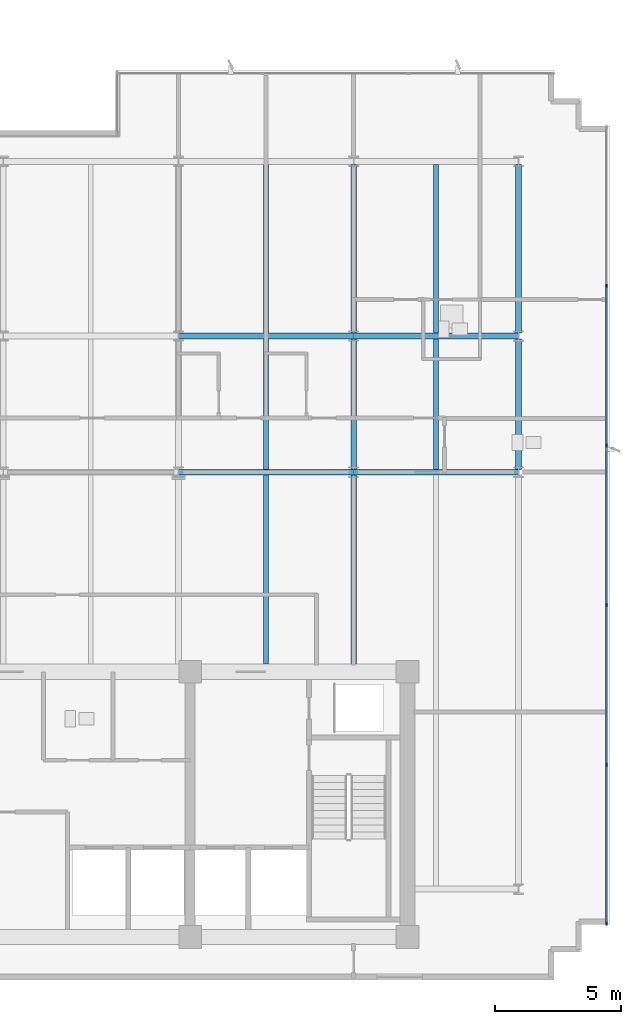
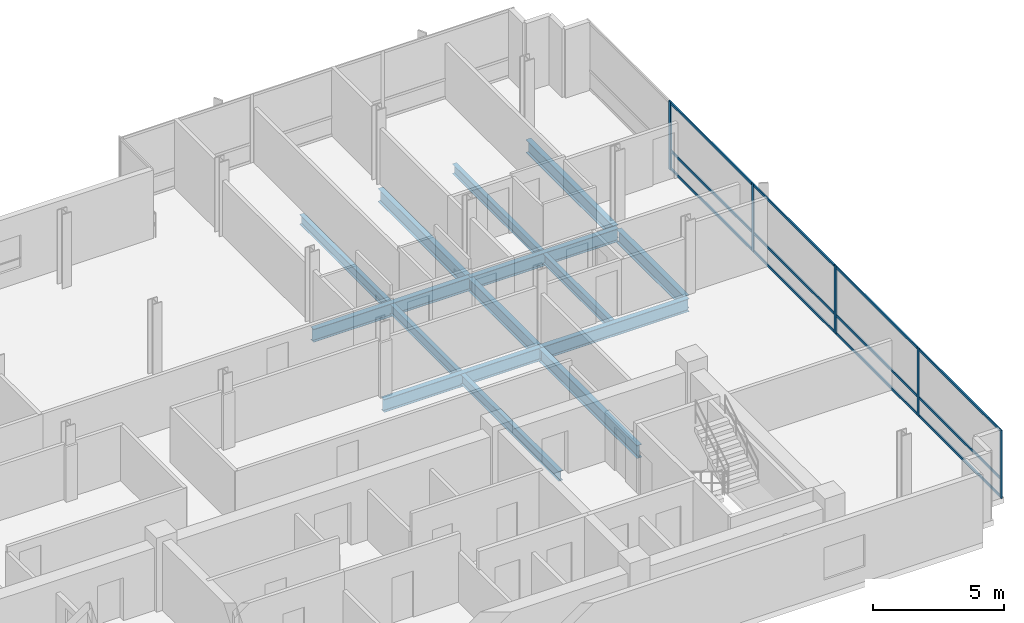
# One storey, part 6 of 17: 17 members, 14 beams, 1 element without a shape of its own.
"""IFC4 building model written with IfcOpenShell, lengths in metres."""

from ifc_helpers import new_model, si_unit, direction, frame, origin, origin_2d, place, context, subcontext, project, spatial, rectangle, i_section, extrude, material, material_profile, profile_set, type_object, element, aggregate, save


model = new_model("IFC4")

# Units and contexts
model_context = context("Model", 3, precision=1e-05, world=origin(), true_north=direction((0.0, 1.0)))
body_context = subcontext(model_context, "Body", "Model", "MODEL_VIEW")
ifc_project = project(units=[si_unit("LENGTHUNIT", "METRE"), si_unit("AREAUNIT", "SQUARE_METRE"), si_unit("VOLUMEUNIT", "CUBIC_METRE"), si_unit("PLANEANGLEUNIT", "RADIAN"), si_unit("MASSUNIT", "GRAM", prefix="KILO")], contexts=[model_context])

# Site, building, storey
site_placement = place(None, origin())
site = spatial("IfcSite", under=ifc_project, at=site_placement, CompositionType="ELEMENT")
building_placement = place(site_placement, origin())
building = spatial("IfcBuilding", under=site, at=building_placement, Name="Solmavex Isthmus Hotel", CompositionType="ELEMENT")
storey_placement = place(building_placement, frame((0.0, 0.0, 266.10009765625)))
storey = spatial("IfcBuildingStorey", under=building, at=storey_placement, Name="L72", CompositionType="ELEMENT", Elevation=266.10009765625)

# Beams
ifc_material_1 = material(Name="Steel ASTM A992 Grade 50", Category="steel")
ifc_material_profile_1 = material_profile(ifc_material_1, i_section(OverallWidth=0.1904296875, OverallDepth=0.456787109375, WebThickness=0.009033203125, FlangeThickness=0.014404296875, FilletRadius=0.0126953125, at=origin_2d()), Name="W18X50")
ifc_profile_set_1 = profile_set([ifc_material_profile_1], Name="Steel ASTM A992 Grade 50")
beam_type_1 = type_object("IfcBeamType", Name="BM-BJ-W18X50", PredefinedType="JOIST", material=ifc_profile_set_1)
beam_1_placement = place(storey_placement, frame((10.404052734375, -2.199951171875, -0.488525390625), z_axis=(0.0, 1.0, 0.0), x_axis=(-1.0, 0.0, 0.0)))
element("IfcBeam", 1, at=beam_1_placement, inside=storey, type_object=beam_type_1, Name="Secondary Floor Joist L72-J13", PredefinedType="JOIST", context=body_context, shape_type="SweptSolid", body=[
    extrude(i_section(OverallWidth=0.1904296875, OverallDepth=0.456787109375, WebThickness=0.009033203125, FlangeThickness=0.014404296875, FilletRadius=0.0126953125, at=origin_2d()), origin(), (0.0, 0.0, 1.0), 7.486083984375),
])
beam_2_placement = place(storey_placement, frame((10.404052734375, 5.513916015625, -0.488525390625), z_axis=(0.0, 1.0, 0.0), x_axis=(-1.0, 0.0, 0.0)))
element("IfcBeam", 2, at=beam_2_placement, inside=storey, type_object=beam_type_1, Name="Secondary Floor Joist L72-J14", PredefinedType="JOIST", context=body_context, shape_type="SweptSolid", body=[
    extrude(i_section(OverallWidth=0.1904296875, OverallDepth=0.456787109375, WebThickness=0.009033203125, FlangeThickness=0.014404296875, FilletRadius=0.0126953125, at=origin_2d()), origin(), (0.0, 0.0, 1.0), 5.16015625),
])
beam_3_placement = place(storey_placement, frame((10.404052734375, 10.90185546875, -0.488525390625), z_axis=(0.0, 1.0, 0.0), x_axis=(-1.0, 0.0, 0.0)))
element("IfcBeam", 3, at=beam_3_placement, inside=storey, type_object=beam_type_1, Name="Secondary Floor Joist L72-J15", PredefinedType="JOIST", context=body_context, shape_type="SweptSolid", body=[
    extrude(i_section(OverallWidth=0.1904296875, OverallDepth=0.456787109375, WebThickness=0.009033203125, FlangeThickness=0.014404296875, FilletRadius=0.0126953125, at=origin_2d()), origin(), (0.0, 0.0, 1.0), 6.682861328125),
])
beam_4_placement = place(storey_placement, frame((17.135986328125, 5.513916015625, -0.488525390625), z_axis=(0.0, 1.0, 0.0), x_axis=(-1.0, 0.0, 0.0)))
element("IfcBeam", 4, at=beam_4_placement, inside=storey, type_object=beam_type_1, Name="Secondary Floor Joist L72-J17", PredefinedType="JOIST", context=body_context, shape_type="SweptSolid", body=[
    extrude(i_section(OverallWidth=0.1904296875, OverallDepth=0.456787109375, WebThickness=0.009033203125, FlangeThickness=0.014404296875, FilletRadius=0.0126953125, at=origin_2d()), origin(), (0.0, 0.0, 1.0), 5.16015625),
])
beam_5_placement = place(storey_placement, frame((17.135986328125, 10.90185546875, -0.488525390625), z_axis=(0.0, 1.0, 0.0), x_axis=(-1.0, 0.0, 0.0)))
element("IfcBeam", 5, at=beam_5_placement, inside=storey, type_object=beam_type_1, Name="Secondary Floor Joist L72-J18", PredefinedType="JOIST", context=body_context, shape_type="SweptSolid", body=[
    extrude(i_section(OverallWidth=0.1904296875, OverallDepth=0.456787109375, WebThickness=0.009033203125, FlangeThickness=0.014404296875, FilletRadius=0.0126953125, at=origin_2d()), origin(), (0.0, 0.0, 1.0), 6.682861328125),
])
ifc_material_profile_2 = material_profile(ifc_material_1, i_section(OverallWidth=0.227783203125, OverallDepth=0.602783203125, WebThickness=0.010498046875, FlangeThickness=0.014892578125, FilletRadius=0.01513671875, at=origin_2d()), Name="W24X68")
ifc_profile_set_2 = profile_set([ifc_material_profile_2], Name="Steel ASTM A992 Grade 50")
beam_type_2 = type_object("IfcBeamType", Name="BM-BM-W24X68", PredefinedType="BEAM", material=ifc_profile_set_2)
beam_6_placement = place(storey_placement, frame((6.93603515625, 5.39990234375, -0.5615234375), z_axis=(1.0, 0.0, 0.0), x_axis=(0.0, 1.0, 0.0)))
element("IfcBeam", 6, at=beam_6_placement, inside=storey, type_object=beam_type_2, Name="Floor Girder L72-UG07", PredefinedType="BEAM", context=body_context, shape_type="SweptSolid", body=[
    extrude(i_section(OverallWidth=0.227783203125, OverallDepth=0.602783203125, WebThickness=0.010498046875, FlangeThickness=0.014892578125, FilletRadius=0.01513671875, at=origin_2d()), origin(), (0.0, 0.0, 1.0), 6.93603515625),
])
beam_7_placement = place(storey_placement, frame((13.8720703125, 5.39990234375, -0.5615234375), z_axis=(1.0, 0.0, 0.0), x_axis=(0.0, 1.0, 0.0)))
element("IfcBeam", 7, at=beam_7_placement, inside=storey, type_object=beam_type_2, Name="Floor Girder L72-UG08", PredefinedType="BEAM", context=body_context, shape_type="SweptSolid", body=[
    extrude(i_section(OverallWidth=0.227783203125, OverallDepth=0.602783203125, WebThickness=0.010498046875, FlangeThickness=0.014892578125, FilletRadius=0.01513671875, at=origin_2d()), origin(), (0.0, 0.0, 1.0), 6.52783203125),
])
beam_8_placement = place(storey_placement, frame((6.93603515625, 10.7880859375, -0.5615234375), z_axis=(1.0, 0.0, 0.0), x_axis=(0.0, 1.0, 0.0)))
element("IfcBeam", 8, at=beam_8_placement, inside=storey, type_object=beam_type_2, Name="Floor Girder L72-UG13", PredefinedType="BEAM", context=body_context, shape_type="SweptSolid", body=[
    extrude(i_section(OverallWidth=0.227783203125, OverallDepth=0.602783203125, WebThickness=0.010498046875, FlangeThickness=0.014892578125, FilletRadius=0.01513671875, at=origin_2d()), origin(), (0.0, 0.0, 1.0), 6.93603515625),
])
beam_9_placement = place(storey_placement, frame((13.8720703125, 10.7880859375, -0.5615234375), z_axis=(1.0, 0.0, 0.0), x_axis=(0.0, 1.0, 0.0)))
element("IfcBeam", 9, at=beam_9_placement, inside=storey, type_object=beam_type_2, Name="Floor Girder L72-UG14", PredefinedType="BEAM", context=body_context, shape_type="SweptSolid", body=[
    extrude(i_section(OverallWidth=0.227783203125, OverallDepth=0.602783203125, WebThickness=0.010498046875, FlangeThickness=0.014892578125, FilletRadius=0.01513671875, at=origin_2d()), origin(), (0.0, 0.0, 1.0), 6.52783203125),
])
beam_10_placement = place(storey_placement, frame((13.8720703125, -2.199951171875, -0.5615234375), z_axis=(0.0, 1.0, 0.0), x_axis=(-1.0, 0.0, 0.0)))
element("IfcBeam", 10, at=beam_10_placement, inside=storey, type_object=beam_type_2, Name="Floor Beam L72-VG36", PredefinedType="BEAM", context=body_context, shape_type="SweptSolid", body=[
    extrude(i_section(OverallWidth=0.227783203125, OverallDepth=0.602783203125, WebThickness=0.010498046875, FlangeThickness=0.014892578125, FilletRadius=0.01513671875, at=origin_2d()), origin(), (0.0, 0.0, 1.0), 7.486083984375),
])
beam_11_placement = place(storey_placement, frame((13.8720703125, 5.513916015625, -0.5615234375), z_axis=(0.0, 1.0, 0.0), x_axis=(-1.0, 0.0, 0.0)))
element("IfcBeam", 11, at=beam_11_placement, inside=storey, type_object=beam_type_2, Name="Floor Beam L72-VG37", PredefinedType="BEAM", context=body_context, shape_type="SweptSolid", body=[
    extrude(i_section(OverallWidth=0.227783203125, OverallDepth=0.602783203125, WebThickness=0.010498046875, FlangeThickness=0.014892578125, FilletRadius=0.01513671875, at=origin_2d()), origin(), (0.0, 0.0, 1.0), 5.16015625),
])
beam_12_placement = place(storey_placement, frame((13.8720703125, 10.90185546875, -0.5615234375), z_axis=(0.0, 1.0, 0.0), x_axis=(-1.0, 0.0, 0.0)))
element("IfcBeam", 12, at=beam_12_placement, inside=storey, type_object=beam_type_2, Name="Floor Beam L72-VG38", PredefinedType="BEAM", context=body_context, shape_type="SweptSolid", body=[
    extrude(i_section(OverallWidth=0.227783203125, OverallDepth=0.602783203125, WebThickness=0.010498046875, FlangeThickness=0.014892578125, FilletRadius=0.01513671875, at=origin_2d()), origin(), (0.0, 0.0, 1.0), 6.682861328125),
])
ifc_material_profile_3 = material_profile(ifc_material_1, i_section(OverallWidth=0.230224609375, OverallDepth=0.617431640625, WebThickness=0.01318359375, FlangeThickness=0.022216796875, FilletRadius=0.01513671875, at=origin_2d()), Name="W24X94")
ifc_profile_set_3 = profile_set([ifc_material_profile_3], Name="Steel ASTM A992 Grade 50")
beam_type_3 = type_object("IfcBeamType", Name="BM-SP-W24X94", PredefinedType="SPANDREL", material=ifc_profile_set_3)
beam_13_placement = place(storey_placement, frame((20.39990234375, 5.513916015625, -0.56884765625), z_axis=(0.0, 1.0, 0.0), x_axis=(-1.0, 0.0, 0.0)))
element("IfcBeam", 13, at=beam_13_placement, inside=storey, type_object=beam_type_3, Name="Floor Beam L72-VG40", PredefinedType="SPANDREL", context=body_context, shape_type="SweptSolid", body=[
    extrude(i_section(OverallWidth=0.230224609375, OverallDepth=0.617431640625, WebThickness=0.01318359375, FlangeThickness=0.022216796875, FilletRadius=0.01513671875, at=origin_2d()), origin(), (0.0, 0.0, 1.0), 5.16015625),
])
beam_14_placement = place(storey_placement, frame((20.39990234375, 10.90185546875, -0.56884765625), z_axis=(0.0, 1.0, 0.0), x_axis=(-1.0, 0.0, 0.0)))
element("IfcBeam", 14, at=beam_14_placement, inside=storey, type_object=beam_type_3, Name="Floor Beam L72-VG41", PredefinedType="SPANDREL", context=body_context, shape_type="SweptSolid", body=[
    extrude(i_section(OverallWidth=0.230224609375, OverallDepth=0.617431640625, WebThickness=0.01318359375, FlangeThickness=0.022216796875, FilletRadius=0.01513671875, at=origin_2d()), origin(), (0.0, 0.0, 1.0), 6.682861328125),
])

# Curtain wall, members
ifc_material_2 = material(Name="Aluminium alloy 6063-T6", Category="aluminium")
curtain_wall_type = type_object("IfcCurtainWallType", Name="CW-SYS-06", PredefinedType="NOTDEFINED", material=ifc_material_2)
curtain_wall_placement = place(storey_placement, origin())
curtain_wall = element("IfcCurtainWall", 15, at=curtain_wall_placement, inside=storey, type_object=curtain_wall_type, Name="Stick Curtain Wall CWL-L72-E1", PredefinedType="NOTDEFINED")
ifc_material_profile_4 = material_profile(ifc_material_2, rectangle(XDim=0.06005859375, YDim=0.139892578125, at=origin_2d()), Name="CWM-60X140")
ifc_profile_set_4 = profile_set([ifc_material_profile_4], Name="Aluminium alloy 6063-T6")
member_type_1 = type_object("IfcMemberType", Name="CW-SYS-06-MUL", PredefinedType="MULLION", material=ifc_profile_set_4)
member_1_placement = place(storey_placement, frame((23.8798828125, -12.469970703125, 0.0), z_axis=(0.0, 0.0, 1.0), x_axis=(-1.0, 0.0, 0.0)))
member_1 = element("IfcMember", 16, at=member_1_placement, type_object=member_type_1, Name="CW-06 mullion 1", PredefinedType="MULLION", context=body_context, shape_type="SweptSolid", body=[
    extrude(rectangle(XDim=0.06005859375, YDim=0.139892578125, at=origin_2d()), origin(), (0.0, 0.0, 1.0), 3.18994140625),
])
member_2_placement = place(storey_placement, frame((23.8798828125, -6.179931640625, 0.0), z_axis=(0.0, 0.0, 1.0), x_axis=(-1.0, 0.0, 0.0)))
member_2 = element("IfcMember", 17, at=member_2_placement, type_object=member_type_1, Name="CW-06 mullion 2", PredefinedType="MULLION", context=body_context, shape_type="SweptSolid", body=[
    extrude(rectangle(XDim=0.06005859375, YDim=0.139892578125, at=origin_2d()), origin(), (0.0, 0.0, 1.0), 3.18994140625),
])
member_3_placement = place(storey_placement, frame((23.8798828125, 0.139892578125, 0.0), z_axis=(0.0, 0.0, 1.0), x_axis=(-1.0, 0.0, 0.0)))
member_3 = element("IfcMember", 18, at=member_3_placement, type_object=member_type_1, Name="CW-06 mullion 3", PredefinedType="MULLION", context=body_context, shape_type="SweptSolid", body=[
    extrude(rectangle(XDim=0.06005859375, YDim=0.139892578125, at=origin_2d()), origin(), (0.0, 0.0, 1.0), 3.18994140625),
])
member_4_placement = place(storey_placement, frame((23.8798828125, 6.4599609375, 0.0), z_axis=(0.0, 0.0, 1.0), x_axis=(-1.0, 0.0, 0.0)))
member_4 = element("IfcMember", 19, at=member_4_placement, type_object=member_type_1, Name="CW-06 mullion 4", PredefinedType="MULLION", context=body_context, shape_type="SweptSolid", body=[
    extrude(rectangle(XDim=0.06005859375, YDim=0.139892578125, at=origin_2d()), origin(), (0.0, 0.0, 1.0), 3.18994140625),
])
member_5_placement = place(storey_placement, frame((23.8798828125, 12.780029296875, 0.0), z_axis=(0.0, 0.0, 1.0), x_axis=(-1.0, 0.0, 0.0)))
member_5 = element("IfcMember", 20, at=member_5_placement, type_object=member_type_1, Name="CW-06 mullion 5", PredefinedType="MULLION", context=body_context, shape_type="SweptSolid", body=[
    extrude(rectangle(XDim=0.06005859375, YDim=0.139892578125, at=origin_2d()), origin(), (0.0, 0.0, 1.0), 3.18994140625),
])
ifc_material_profile_5 = material_profile(ifc_material_2, rectangle(XDim=0.06005859375, YDim=0.114990234375, at=origin_2d()), Name="CWT-60X115")
ifc_profile_set_5 = profile_set([ifc_material_profile_5], Name="Aluminium alloy 6063-T6")
member_type_2 = type_object("IfcMemberType", Name="CW-SYS-06-TRN", PredefinedType="USERDEFINED", material=ifc_profile_set_5)
member_6_placement = place(storey_placement, frame((23.8798828125, -12.43994140625, 0.057373046875), z_axis=(0.0, 1.0, 0.0), x_axis=(-1.0, 0.0, 0.0)))
member_6 = element("IfcMember", 21, at=member_6_placement, type_object=member_type_2, Name="CW-06 transom 1.1", ObjectType="TRANSOM", PredefinedType="USERDEFINED", context=body_context, shape_type="SweptSolid", body=[
    extrude(rectangle(XDim=0.06005859375, YDim=0.114990234375, at=origin_2d()), origin(), (0.0, 0.0, 1.0), 6.22998046875),
])
member_7_placement = place(storey_placement, frame((23.8798828125, -12.43994140625, 0.89990234375), z_axis=(0.0, 1.0, 0.0), x_axis=(-1.0, 0.0, 0.0)))
member_7 = element("IfcMember", 22, at=member_7_placement, type_object=member_type_2, Name="CW-06 transom 1.2", ObjectType="TRANSOM", PredefinedType="USERDEFINED", context=body_context, shape_type="SweptSolid", body=[
    extrude(rectangle(XDim=0.06005859375, YDim=0.114990234375, at=origin_2d()), origin(), (0.0, 0.0, 1.0), 6.22998046875),
])
member_8_placement = place(storey_placement, frame((23.8798828125, -12.43994140625, 3.13232421875), z_axis=(0.0, 1.0, 0.0), x_axis=(-1.0, 0.0, 0.0)))
member_8 = element("IfcMember", 23, at=member_8_placement, type_object=member_type_2, Name="CW-06 transom 1.3", ObjectType="TRANSOM", PredefinedType="USERDEFINED", context=body_context, shape_type="SweptSolid", body=[
    extrude(rectangle(XDim=0.06005859375, YDim=0.114990234375, at=origin_2d()), origin(), (0.0, 0.0, 1.0), 6.22998046875),
])
member_9_placement = place(storey_placement, frame((23.8798828125, -6.14990234375, 0.057373046875), z_axis=(0.0, 1.0, 0.0), x_axis=(-1.0, 0.0, 0.0)))
member_9 = element("IfcMember", 24, at=member_9_placement, type_object=member_type_2, Name="CW-06 transom 2.1", ObjectType="TRANSOM", PredefinedType="USERDEFINED", context=body_context, shape_type="SweptSolid", body=[
    extrude(rectangle(XDim=0.06005859375, YDim=0.114990234375, at=origin_2d()), origin(), (0.0, 0.0, 1.0), 6.260009765625),
])
member_10_placement = place(storey_placement, frame((23.8798828125, -6.14990234375, 0.89990234375), z_axis=(0.0, 1.0, 0.0), x_axis=(-1.0, 0.0, 0.0)))
member_10 = element("IfcMember", 25, at=member_10_placement, type_object=member_type_2, Name="CW-06 transom 2.2", ObjectType="TRANSOM", PredefinedType="USERDEFINED", context=body_context, shape_type="SweptSolid", body=[
    extrude(rectangle(XDim=0.06005859375, YDim=0.114990234375, at=origin_2d()), origin(), (0.0, 0.0, 1.0), 6.260009765625),
])
member_11_placement = place(storey_placement, frame((23.8798828125, -6.14990234375, 3.13232421875), z_axis=(0.0, 1.0, 0.0), x_axis=(-1.0, 0.0, 0.0)))
member_11 = element("IfcMember", 26, at=member_11_placement, type_object=member_type_2, Name="CW-06 transom 2.3", ObjectType="TRANSOM", PredefinedType="USERDEFINED", context=body_context, shape_type="SweptSolid", body=[
    extrude(rectangle(XDim=0.06005859375, YDim=0.114990234375, at=origin_2d()), origin(), (0.0, 0.0, 1.0), 6.260009765625),
])
member_12_placement = place(storey_placement, frame((23.8798828125, 0.169921875, 0.057373046875), z_axis=(0.0, 1.0, 0.0), x_axis=(-1.0, 0.0, 0.0)))
member_12 = element("IfcMember", 27, at=member_12_placement, type_object=member_type_2, Name="CW-06 transom 3.1", ObjectType="TRANSOM", PredefinedType="USERDEFINED", context=body_context, shape_type="SweptSolid", body=[
    extrude(rectangle(XDim=0.06005859375, YDim=0.114990234375, at=origin_2d()), origin(), (0.0, 0.0, 1.0), 6.260009765625),
])
member_13_placement = place(storey_placement, frame((23.8798828125, 0.169921875, 0.89990234375), z_axis=(0.0, 1.0, 0.0), x_axis=(-1.0, 0.0, 0.0)))
member_13 = element("IfcMember", 28, at=member_13_placement, type_object=member_type_2, Name="CW-06 transom 3.2", ObjectType="TRANSOM", PredefinedType="USERDEFINED", context=body_context, shape_type="SweptSolid", body=[
    extrude(rectangle(XDim=0.06005859375, YDim=0.114990234375, at=origin_2d()), origin(), (0.0, 0.0, 1.0), 6.260009765625),
])
member_14_placement = place(storey_placement, frame((23.8798828125, 0.169921875, 3.13232421875), z_axis=(0.0, 1.0, 0.0), x_axis=(-1.0, 0.0, 0.0)))
member_14 = element("IfcMember", 29, at=member_14_placement, type_object=member_type_2, Name="CW-06 transom 3.3", ObjectType="TRANSOM", PredefinedType="USERDEFINED", context=body_context, shape_type="SweptSolid", body=[
    extrude(rectangle(XDim=0.06005859375, YDim=0.114990234375, at=origin_2d()), origin(), (0.0, 0.0, 1.0), 6.260009765625),
])
member_15_placement = place(storey_placement, frame((23.8798828125, 6.489990234375, 0.057373046875), z_axis=(0.0, 1.0, 0.0), x_axis=(-1.0, 0.0, 0.0)))
member_15 = element("IfcMember", 30, at=member_15_placement, type_object=member_type_2, Name="CW-06 transom 4.1", ObjectType="TRANSOM", PredefinedType="USERDEFINED", context=body_context, shape_type="SweptSolid", body=[
    extrude(rectangle(XDim=0.06005859375, YDim=0.114990234375, at=origin_2d()), origin(), (0.0, 0.0, 1.0), 6.260009765625),
])
member_16_placement = place(storey_placement, frame((23.8798828125, 6.489990234375, 0.89990234375), z_axis=(0.0, 1.0, 0.0), x_axis=(-1.0, 0.0, 0.0)))
member_16 = element("IfcMember", 31, at=member_16_placement, type_object=member_type_2, Name="CW-06 transom 4.2", ObjectType="TRANSOM", PredefinedType="USERDEFINED", context=body_context, shape_type="SweptSolid", body=[
    extrude(rectangle(XDim=0.06005859375, YDim=0.114990234375, at=origin_2d()), origin(), (0.0, 0.0, 1.0), 6.260009765625),
])
member_17_placement = place(storey_placement, frame((23.8798828125, 6.489990234375, 3.13232421875), z_axis=(0.0, 1.0, 0.0), x_axis=(-1.0, 0.0, 0.0)))
member_17 = element("IfcMember", 32, at=member_17_placement, type_object=member_type_2, Name="CW-06 transom 4.3", ObjectType="TRANSOM", PredefinedType="USERDEFINED", context=body_context, shape_type="SweptSolid", body=[
    extrude(rectangle(XDim=0.06005859375, YDim=0.114990234375, at=origin_2d()), origin(), (0.0, 0.0, 1.0), 6.260009765625),
])
aggregate(curtain_wall, [member_1, member_2, member_3, member_4, member_5, member_6, member_7, member_8, member_9, member_10, member_11, member_12, member_13, member_14, member_15, member_16, member_17])

save(model, "model.ifc")
